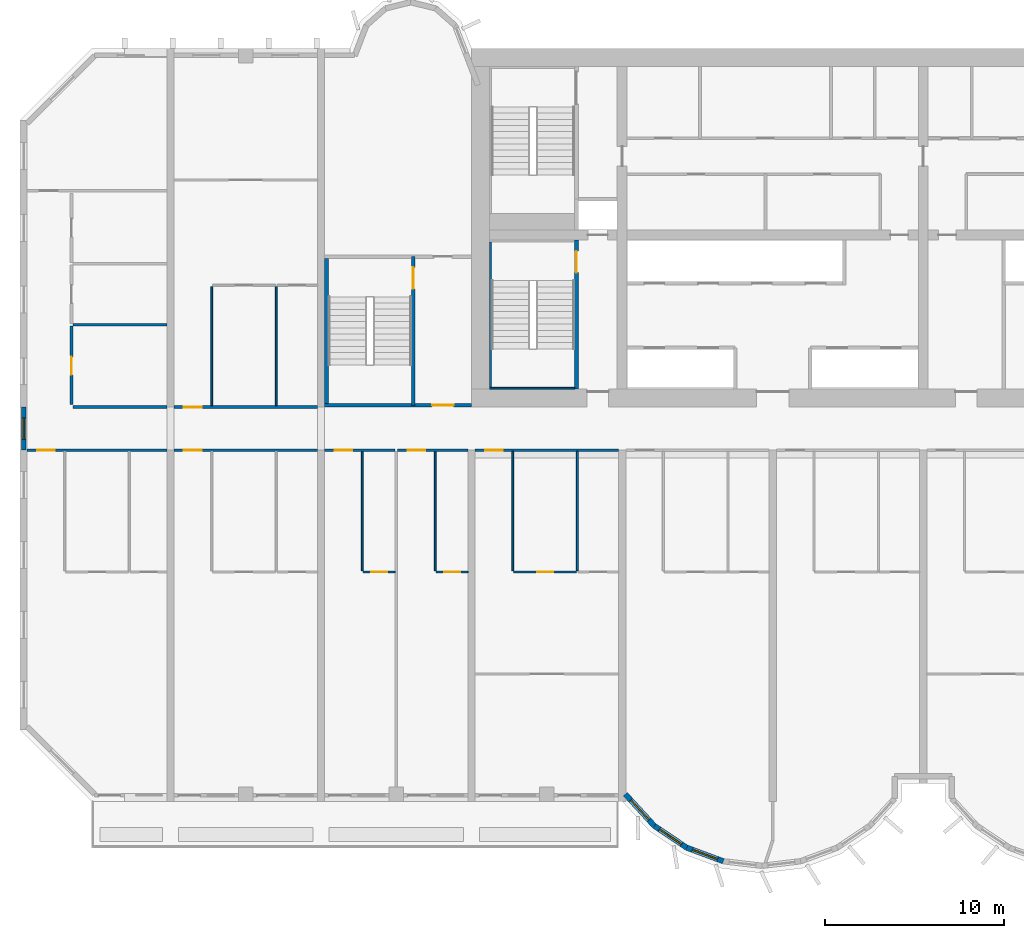
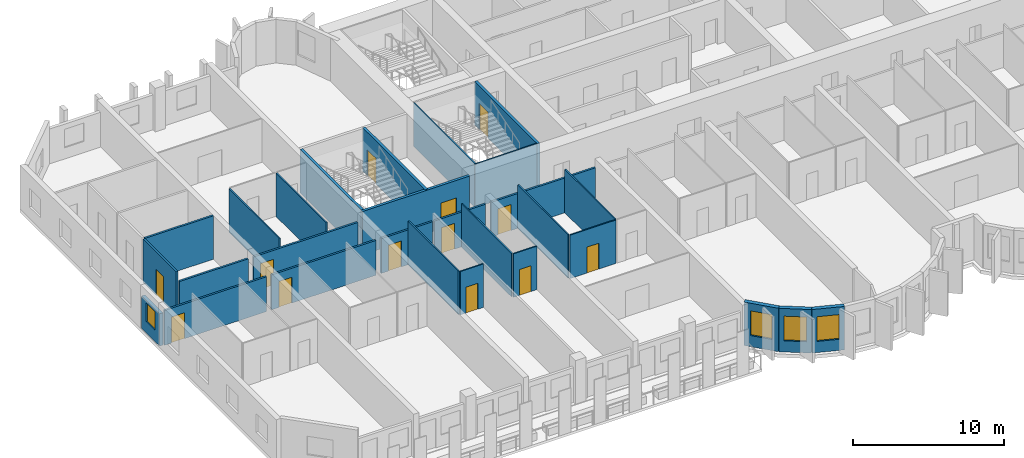
# One storey, part 3 of 15: 28 walls, 13 doors, 4 windows, 17 openings.
"""IFC4 building model written with IfcOpenShell, lengths in metres."""

import ifcopenshell
import ifcopenshell.guid

model = None  # the IFC model being written
_history = None  # IfcOwnerHistory: only IFC2X3 demands one
_inside = {}  # id of a spatial element -> (the spatial element, [elements in it])
_under = {}  # id of a project, library or spatial element -> (it, [spatial elements below it])
_declared = {}  # id of a project -> (the project, [libraries it declares])
_typed = {}  # id of a type object -> (the type object, [elements of that type])
_made_of = {}  # id of a material, layer set ... -> (it, [elements and type objects made of it])


def new_model(schema):
    """Start an empty IFC model of exactly this schema.

    Asked for "IFC4X3", IfcOpenShell would pick the latest addendum, in which some entities
    have other attributes; the version numbers below select the first issue.
    IFC2X3 requires an IfcOwnerHistory on every rooted entity: one is made here for all.
    """
    global model, _history
    if schema == "IFC4X3":
        model = ifcopenshell.file(schema_version=(4, 3, 0, 0))
    else:
        model = ifcopenshell.file(schema=schema)
    _inside.clear()
    _under.clear()
    _declared.clear()
    _typed.clear()
    _made_of.clear()
    _history = None
    if model.schema == "IFC2X3":
        org = make("IfcOrganization", Name="unknown")
        user = make(
            "IfcPersonAndOrganization",
            ThePerson=make("IfcPerson", FamilyName="unknown"),
            TheOrganization=org,
        )
        app = make(
            "IfcApplication",
            ApplicationDeveloper=org,
            Version="unknown",
            ApplicationFullName="unknown",
            ApplicationIdentifier="unknown",
        )
        _history = make(
            "IfcOwnerHistory",
            OwningUser=user,
            OwningApplication=app,
            ChangeAction="ADDED",
            CreationDate=0,
        )
    return model


def make(cls, **values):
    """One entity of the class cls with the attributes given. An attribute that is None is left unset."""
    return model.create_entity(
        cls, **{name: value for name, value in values.items() if value is not None}
    )


def rooted(cls, **values):
    """An entity with a GlobalId (a new one), such as an element, a storey or a relation."""
    return make(cls, GlobalId=ifcopenshell.guid.new(), OwnerHistory=_history, **values)


def si_unit(unit_type, name, prefix=None):
    """IfcSIUnit, for example si_unit("LENGTHUNIT", "METRE", prefix="MILLI")."""
    return make("IfcSIUnit", UnitType=unit_type, Prefix=prefix, Name=name)


def assignment(units):
    """IfcUnitAssignment: the units of a project."""
    return None if units is None else make("IfcUnitAssignment", Units=units)


def point(xyz):
    """IfcCartesianPoint."""
    return None if xyz is None else make("IfcCartesianPoint", Coordinates=xyz)


def direction(xyz):
    """IfcDirection."""
    return None if xyz is None else make("IfcDirection", DirectionRatios=xyz)


def frame(location, z_axis=None, x_axis=None):
    """IfcAxis2Placement3D, a coordinate frame: its origin and axes. An axis left out is left unset."""
    return make(
        "IfcAxis2Placement3D",
        Location=point(location),
        Axis=direction(z_axis),
        RefDirection=direction(x_axis),
    )


def frame_2d(location, x_axis=None):
    """IfcAxis2Placement2D, a coordinate frame in the plane: its origin and x axis."""
    return make(
        "IfcAxis2Placement2D", Location=point(location), RefDirection=direction(x_axis)
    )


def origin():
    """The frame at (0, 0, 0) with its axes left unset."""
    return frame((0.0, 0.0, 0.0))


def place(relative_to, where):
    """IfcLocalPlacement: puts the frame where relative to a parent placement (None: the world)."""
    return make(
        "IfcLocalPlacement", PlacementRelTo=relative_to, RelativePlacement=where
    )


def context(
    kind, dimensions, precision=None, world=None, true_north=None, identifier=None
):
    """IfcGeometricRepresentationContext, for example the 3D "Model" context."""
    return make(
        "IfcGeometricRepresentationContext",
        ContextIdentifier=identifier,
        ContextType=kind,
        CoordinateSpaceDimension=dimensions,
        Precision=precision,
        WorldCoordinateSystem=world,
        TrueNorth=true_north,
    )


def subcontext(parent, identifier, kind, view, scale=None):
    """IfcGeometricRepresentationSubContext, for example "Body" below "Model"."""
    return make(
        "IfcGeometricRepresentationSubContext",
        ContextIdentifier=identifier,
        ContextType=kind,
        ParentContext=parent,
        TargetScale=scale,
        TargetView=view,
    )


def project(units=None, contexts=None):
    """IfcProject with its units and contexts."""
    return rooted(
        "IfcProject",
        Name="project",
        RepresentationContexts=contexts,
        UnitsInContext=assignment(units),
    )


def spatial(cls, under=None, at=None, **own):
    """A site, building, storey or space (cls), placed at a placement, below another one or the project."""
    s = rooted(cls, ObjectPlacement=at, **own)
    if under is not None:
        _under.setdefault(under.id(), (under, []))[1].append(s)
    return s


def profile(cls, at=None, kind="AREA", **sizes):
    """A parametric profile (cls). Its sizes go by their IFC names, for example OverallWidth=200.0."""
    return make(cls, ProfileType=kind, Position=at, **sizes)


def rectangle(**sizes):
    """IfcRectangleProfileDef."""
    return profile("IfcRectangleProfileDef", **sizes)


def extrude(swept, where, along, depth):
    """IfcExtrudedAreaSolid: the profile swept, set in the frame where, extruded along a direction by depth."""
    return make(
        "IfcExtrudedAreaSolid",
        SweptArea=swept,
        Position=where,
        ExtrudedDirection=direction(along),
        Depth=depth,
    )


def shape(context_of_items, identifier, shape_type, items):
    """IfcShapeRepresentation: the items that make up one representation, for example the "Body"."""
    return make(
        "IfcShapeRepresentation",
        ContextOfItems=context_of_items,
        RepresentationIdentifier=identifier,
        RepresentationType=shape_type,
        Items=items,
    )


def source(mapping_origin, context_of_items, identifier, shape_type, items):
    """IfcRepresentationMap: a shape defined once, which mapped items show again and again."""
    return make(
        "IfcRepresentationMap",
        MappingOrigin=mapping_origin,
        MappedRepresentation=shape(context_of_items, identifier, shape_type, items),
    )


def transform(
    local_origin,
    x_axis=None,
    y_axis=None,
    z_axis=None,
    scale=None,
    scale2=None,
    scale3=None,
    uniform=True,
):
    """IfcCartesianTransformationOperator3D, or its non-uniform kind. x_axis, y_axis, z_axis: its Axis1, 2, 3."""
    if uniform:
        return make(
            "IfcCartesianTransformationOperator3D",
            Axis1=direction(x_axis),
            Axis2=direction(y_axis),
            LocalOrigin=point(local_origin),
            Scale=scale,
            Axis3=direction(z_axis),
        )
    return make(
        "IfcCartesianTransformationOperator3DnonUniform",
        Axis1=direction(x_axis),
        Axis2=direction(y_axis),
        LocalOrigin=point(local_origin),
        Scale=scale,
        Axis3=direction(z_axis),
        Scale2=scale2,
        Scale3=scale3,
    )


def mapped(mapping_source, mapping_target):
    """IfcMappedItem: shows the shape of a source again, moved by a transform."""
    return make(
        "IfcMappedItem", MappingSource=mapping_source, MappingTarget=mapping_target
    )


def material(Name=None, Category=None):
    """IfcMaterial."""
    return make("IfcMaterial", Name=Name, Category=Category)


def layer(
    of_material, thickness, ventilated=None, Name=None, Category=None, Priority=None
):
    """IfcMaterialLayer: one layer of a wall or slab, of a material (None: an air gap)."""
    return make(
        "IfcMaterialLayer",
        Material=of_material,
        LayerThickness=thickness,
        IsVentilated=ventilated,
        Name=Name,
        Category=Category,
        Priority=Priority,
    )


def layer_set(layers, Name=None):
    """IfcMaterialLayerSet."""
    return make("IfcMaterialLayerSet", MaterialLayers=layers, LayerSetName=Name)


def made_of(thing, what):
    """Note that an element or type object is made of a material, layer set ...; save() writes the relation."""
    if what is not None:
        _made_of.setdefault(what.id(), (what, []))[1].append(thing)
    return thing


def type_object(cls, material=None, **own):
    """A type object (cls), such as IfcWallType, which elements share."""
    return made_of(rooted(cls, **own), material)


def element(
    cls,
    number,
    at=None,
    inside=None,
    cuts=None,
    type_object=None,
    material=None,
    context=None,
    identifier="Body",
    shape_type=None,
    held_by="IfcProductDefinitionShape",
    body=None,
    shapes=None,
    **own,
):
    """One element of the class cls, such as IfcWall. Its Tag is "e" and its number.

    at: its placement. inside: the storey or other place that contains it. cuts: it is an
    opening in that element (IfcRelVoidsElement). A single representation is given by context,
    identifier, shape_type and body (its items); several are given by shapes. held_by: the class
    of the entity that holds the representations. save() writes the other relations.
    """
    e = rooted(cls, Tag="e%d" % number, ObjectPlacement=at, **own)
    if body is not None:
        shapes = [shape(context, identifier, shape_type, body)]
    if shapes is not None:
        e.Representation = make(held_by, Representations=shapes)
    if inside is not None:
        _inside.setdefault(inside.id(), (inside, []))[1].append(e)
    if cuts is not None:
        rooted(
            "IfcRelVoidsElement", RelatingBuildingElement=cuts, RelatedOpeningElement=e
        )
    if type_object is not None:
        _typed.setdefault(type_object.id(), (type_object, []))[1].append(e)
    return made_of(e, material)


def fill(opening, filler):
    """IfcRelFillsElement: the door or window that sits in an opening."""
    return rooted(
        "IfcRelFillsElement",
        RelatingOpeningElement=opening,
        RelatedBuildingElement=filler,
    )


def aggregate(whole, parts):
    """IfcRelAggregates: a whole, such as a stair, and the parts it consists of."""
    return rooted("IfcRelAggregates", RelatingObject=whole, RelatedObjects=parts)


def save(model, path):
    """Write the relations noted so far, then the file.

    IfcRelAggregates (storeys below a building ...), IfcRelContainedInSpatialStructure (elements
    in a storey), IfcRelDefinesByType, IfcRelAssociatesMaterial and IfcRelDeclares: one each for
    every whole, place, type object, material and project.
    """
    for whole, parts in _under.values():
        aggregate(whole, parts)
    for where, things in _inside.values():
        rooted(
            "IfcRelContainedInSpatialStructure",
            RelatedElements=things,
            RelatingStructure=where,
        )
    for kind, things in _typed.values():
        rooted("IfcRelDefinesByType", RelatedObjects=things, RelatingType=kind)
    for what, things in _made_of.values():
        rooted("IfcRelAssociatesMaterial", RelatedObjects=things, RelatingMaterial=what)
    for by, libraries in _declared.values():
        rooted("IfcRelDeclares", RelatingContext=by, RelatedDefinitions=libraries)
    model.write(path)


model = new_model("IFC4")

# Units and contexts
model_context = context("Model", 3, precision=1e-05, world=origin(), true_north=direction((0.0, 1.0)))
body_context = subcontext(model_context, "Body", "Model", "MODEL_VIEW")
ifc_project = project(units=[si_unit("LENGTHUNIT", "METRE"), si_unit("AREAUNIT", "SQUARE_METRE"), si_unit("VOLUMEUNIT", "CUBIC_METRE"), si_unit("PLANEANGLEUNIT", "RADIAN"), si_unit("MASSUNIT", "GRAM", prefix="KILO")], contexts=[model_context])

# Site, building, storey
site_placement = place(None, origin())
site = spatial("IfcSite", under=ifc_project, at=site_placement, CompositionType="ELEMENT")
building_placement = place(site_placement, origin())
building = spatial("IfcBuilding", under=site, at=building_placement, Name="Vanashikhar Sky Hotel", CompositionType="ELEMENT")
storey_placement = place(building_placement, frame((0.0, 0.0, 69.60009765625)))
storey = spatial("IfcBuildingStorey", under=building, at=storey_placement, Name="L16", CompositionType="ELEMENT", Elevation=69.60009765625)

# Wall, opening, window
ifc_material_1 = material(Name="Concrete M50", Category="concrete")
ifc_layer_1 = layer(ifc_material_1, 0.300048828125)
ifc_layer_set_1 = layer_set([ifc_layer_1], Name="Lobe wall 300")
wall_type_1 = type_object("IfcWallType", Name="Lobe wall 300", PredefinedType="SOLIDWALL", material=ifc_layer_set_1)
shared_shape_1 = source(origin(), body_context, "Body", "SweptSolid", [
    extrude(rectangle(XDim=2.398193359375, YDim=0.300048828125, at=frame_2d((1.19921875, 0.0))), origin(), (0.0, 0.0, 1.0), 3.52001953125),
])
wall_1_placement = place(storey_placement, frame((33.776123046875, 0.39990234375, 0.0), z_axis=(0.0, 0.0, 1.0), x_axis=(0.675374189419, -0.737475222815, 0.0)))
wall_1 = element("IfcWall", 1, at=wall_1_placement, inside=storey, type_object=wall_type_1, Name="Lobe wall", PredefinedType="SOLIDWALL", context=body_context, shape_type="MappedRepresentation", body=[
    mapped(shared_shape_1, transform((0.0, 0.0, 0.0), scale=1.0)),
])
shared_shape_2 = source(origin(), body_context, "Body", "SweptSolid", [
    extrude(rectangle(XDim=1.5, YDim=2.0, at=frame_2d((0.75, 1.0))), frame((0.0, 0.16015625, 0.0), z_axis=(0.0, -1.0, 0.0), x_axis=(1.0, 0.0, 0.0)), (0.0, 0.0, 1.0), 0.320068359375),
])
opening_1_placement = place(wall_1_placement, frame((0.44921875, 0.0, 0.89990234375)))
opening_1 = element("IfcOpeningElement", 2, at=opening_1_placement, cuts=wall_1, Name="Opening WN-2", PredefinedType="OPENING", context=body_context, shape_type="MappedRepresentation", body=[
    mapped(shared_shape_2, transform((0.0, 0.0, 0.0), scale=1.0)),
])
ifc_material_2 = material(Name="Glass", Category="glass")
window_type_1 = type_object("IfcWindowType", Name="Lobe window 1500 x 2000", PartitioningType="SINGLE_PANEL", PredefinedType="WINDOW", material=ifc_material_2)
shared_shape_3 = source(origin(), body_context, "Body", "SweptSolid", [
    extrude(rectangle(XDim=1.5, YDim=2.0, at=frame_2d((0.75, 1.0))), frame((0.0, 0.030029296875, 0.0), z_axis=(0.0, -1.0, 0.0), x_axis=(1.0, 0.0, 0.0)), (0.0, 0.0, 1.0), 0.06005859375),
])
window_1_placement = place(opening_1_placement, origin())
window_1 = element("IfcWindow", 3, at=window_1_placement, inside=storey, type_object=window_type_1, Name="Window WN-2", OverallHeight=2.0, OverallWidth=1.5, PartitioningType="SINGLE_PANEL", PredefinedType="WINDOW", context=body_context, shape_type="MappedRepresentation", body=[
    mapped(shared_shape_3, transform((0.0, 0.0, 0.0), scale=1.0)),
])
fill(opening_1, window_1)

shared_shape_4 = source(origin(), body_context, "Body", "SweptSolid", [
    extrude(rectangle(XDim=2.17578125, YDim=0.300048828125, at=frame_2d((1.087890625, 0.0))), origin(), (0.0, 0.0, 1.0), 3.52001953125),
])
wall_2_placement = place(storey_placement, frame((35.395751953125, -1.36865234375, 0.0), z_axis=(0.0, 0.0, 1.0), x_axis=(0.829590746428, -0.558371913192, 0.0)))
wall_2 = element("IfcWall", 4, at=wall_2_placement, inside=storey, type_object=wall_type_1, Name="Lobe wall", PredefinedType="SOLIDWALL", context=body_context, shape_type="MappedRepresentation", body=[
    mapped(shared_shape_4, transform((0.0, 0.0, 0.0), scale=1.0)),
])
opening_2_placement = place(wall_2_placement, frame((0.337890625, 0.0, 0.89990234375)))
opening_2 = element("IfcOpeningElement", 5, at=opening_2_placement, cuts=wall_2, Name="Opening WN-2", PredefinedType="OPENING", context=body_context, shape_type="MappedRepresentation", body=[
    mapped(shared_shape_2, transform((0.0, 0.0, 0.0), scale=1.0)),
])
window_2_placement = place(opening_2_placement, origin())
window_2 = element("IfcWindow", 6, at=window_2_placement, inside=storey, type_object=window_type_1, Name="Window WN-2", OverallHeight=2.0, OverallWidth=1.5, PartitioningType="SINGLE_PANEL", PredefinedType="WINDOW", context=body_context, shape_type="MappedRepresentation", body=[
    mapped(shared_shape_3, transform((0.0, 0.0, 0.0), scale=1.0)),
])
fill(opening_2, window_2)

wall_3_placement = place(storey_placement, frame((37.20068359375, -2.58349609375, 0.0), z_axis=(0.0, 0.0, 1.0), x_axis=(0.93754555999, -0.347862505801, 0.0)))
wall_3 = element("IfcWall", 7, at=wall_3_placement, inside=storey, type_object=wall_type_1, Name="Lobe wall", PredefinedType="SOLIDWALL", context=body_context, shape_type="MappedRepresentation", body=[
    mapped(shared_shape_4, transform((0.0, 0.0, 0.0), scale=1.0)),
])
opening_3_placement = place(wall_3_placement, frame((0.337890625, 0.0, 0.89990234375)))
opening_3 = element("IfcOpeningElement", 8, at=opening_3_placement, cuts=wall_3, Name="Opening WN-2", PredefinedType="OPENING", context=body_context, shape_type="MappedRepresentation", body=[
    mapped(shared_shape_2, transform((0.0, 0.0, 0.0), scale=1.0)),
])
window_3_placement = place(opening_3_placement, origin())
window_3 = element("IfcWindow", 9, at=window_3_placement, inside=storey, type_object=window_type_1, Name="Window WN-2", OverallHeight=2.0, OverallWidth=1.5, PartitioningType="SINGLE_PANEL", PredefinedType="WINDOW", context=body_context, shape_type="MappedRepresentation", body=[
    mapped(shared_shape_3, transform((0.0, 0.0, 0.0), scale=1.0)),
])
fill(opening_3, window_3)

ifc_layer_2 = layer(ifc_material_1, 0.25)
ifc_layer_set_2 = layer_set([ifc_layer_2], Name="Rear and end board-marked wall 250")
wall_type_2 = type_object("IfcWallType", Name="Rear and end board-marked wall 250", PredefinedType="SOLIDWALL", material=ifc_layer_set_2)
shared_shape_5 = source(origin(), body_context, "Body", "SweptSolid", [
    extrude(rectangle(XDim=2.39990234375, YDim=0.25, at=frame_2d((1.199951171875, 0.0))), origin(), (0.0, 0.0, 1.0), 2.619873046875),
])
wall_4_placement = place(storey_placement, frame((0.199951171875, 19.60009765625, 0.0), z_axis=(0.0, 0.0, 1.0), x_axis=(0.0, 1.0, 0.0)))
wall_4 = element("IfcWall", 10, at=wall_4_placement, inside=storey, type_object=wall_type_2, Name="End corridor infill wall", PredefinedType="SOLIDWALL", context=body_context, shape_type="MappedRepresentation", body=[
    mapped(shared_shape_5, transform((0.0, 0.0, 0.0), scale=1.0)),
])
shared_shape_6 = source(origin(), body_context, "Body", "SweptSolid", [
    extrude(rectangle(XDim=1.199951171875, YDim=1.5, at=frame_2d((0.60009765625, 0.75))), frame((0.0, 0.135009765625, 0.0), z_axis=(0.0, -1.0, 0.0), x_axis=(1.0, 0.0, 0.0)), (0.0, 0.0, 1.0), 0.27001953125),
])
opening_4_placement = place(wall_4_placement, frame((0.60009765625, 0.0, 0.89990234375)))
opening_4 = element("IfcOpeningElement", 11, at=opening_4_placement, cuts=wall_4, Name="Opening WN-3", PredefinedType="OPENING", context=body_context, shape_type="MappedRepresentation", body=[
    mapped(shared_shape_6, transform((0.0, 0.0, 0.0), scale=1.0)),
])
window_type_2 = type_object("IfcWindowType", Name="Corridor end window 1200 x 1500", PartitioningType="SINGLE_PANEL", PredefinedType="WINDOW", material=ifc_material_2)
shared_shape_7 = source(origin(), body_context, "Body", "SweptSolid", [
    extrude(rectangle(XDim=1.199951171875, YDim=1.5, at=frame_2d((0.60009765625, 0.75))), frame((0.0, 0.030029296875, 0.0), z_axis=(0.0, -1.0, 0.0), x_axis=(1.0, 0.0, 0.0)), (0.0, 0.0, 1.0), 0.06005859375),
])
window_4_placement = place(opening_4_placement, origin())
window_4 = element("IfcWindow", 12, at=window_4_placement, inside=storey, type_object=window_type_2, Name="Window WN-3", OverallHeight=1.5, OverallWidth=1.199951171875, PartitioningType="SINGLE_PANEL", PredefinedType="WINDOW", context=body_context, shape_type="MappedRepresentation", body=[
    mapped(shared_shape_7, transform((0.0, 0.0, 0.0), scale=1.0)),
])
fill(opening_4, window_4)

# Wall, opening, door
ifc_layer_3 = layer(ifc_material_1, 0.199951171875)
ifc_layer_set_3 = layer_set([ifc_layer_3], Name="Stair wall 200")
wall_type_3 = type_object("IfcWallType", Name="Stair wall 200", PredefinedType="SOLIDWALL", material=ifc_layer_set_3)
shared_shape_8 = source(origin(), body_context, "Body", "SweptSolid", [
    extrude(rectangle(XDim=8.199951171875, YDim=0.199951171875, at=frame_2d((4.10009765625, 0.0))), origin(), (0.0, 0.0, 1.0), 3.52001953125),
])
wall_5_placement = place(storey_placement, frame((17.0, 22.10009765625, 0.0), z_axis=(0.0, 0.0, 1.0), x_axis=(1.0, 0.0, 0.0)))
wall_5 = element("IfcWall", 13, at=wall_5_placement, inside=storey, type_object=wall_type_3, Name="Stair wall 200", PredefinedType="SOLIDWALL", context=body_context, shape_type="MappedRepresentation", body=[
    mapped(shared_shape_8, transform((0.0, 0.0, 0.0), scale=1.0)),
])
shared_shape_9 = source(origin(), body_context, "Body", "SweptSolid", [
    extrude(rectangle(XDim=1.199951171875, YDim=2.10009765625, at=frame_2d((0.60009765625, 1.050048828125))), frame((0.0, 0.10986328125, 0.0), z_axis=(0.0, -1.0, 0.0), x_axis=(1.0, 0.0, 0.0)), (0.0, 0.0, 1.0), 0.219970703125),
])
opening_5_placement = place(wall_5_placement, frame((6.0, 0.0, 0.0)))
opening_5 = element("IfcOpeningElement", 14, at=opening_5_placement, cuts=wall_5, Name="Opening DC-2", PredefinedType="OPENING", context=body_context, shape_type="MappedRepresentation", body=[
    mapped(shared_shape_9, transform((0.0, 0.0, 0.0), scale=1.0)),
])
ifc_material_3 = material(Name="Steel", Category="steel")
door_type_1 = type_object("IfcDoorType", Name="Firefighting lobby door 1200 FD120", OperationType="NOTDEFINED", PredefinedType="DOOR", material=ifc_material_3)
shared_shape_10 = source(origin(), body_context, "Body", "SweptSolid", [
    extrude(rectangle(XDim=1.199951171875, YDim=2.10009765625, at=frame_2d((0.60009765625, 1.050048828125))), frame((0.0, 0.02490234375, 0.0), z_axis=(0.0, -1.0, 0.0), x_axis=(1.0, 0.0, 0.0)), (0.0, 0.0, 1.0), 0.050048828125),
])
door_1_placement = place(opening_5_placement, origin())
door_1 = element("IfcDoor", 15, at=door_1_placement, inside=storey, type_object=door_type_1, Name="Firefighting lobby door 1200 FD120", OperationType="SINGLE_SWING_LEFT", OverallHeight=2.10009765625, OverallWidth=1.199951171875, PredefinedType="DOOR", context=body_context, shape_type="MappedRepresentation", body=[
    mapped(shared_shape_10, transform((0.0, 0.0, 0.0), scale=1.0)),
])
fill(opening_5, door_1)

shared_shape_11 = source(origin(), body_context, "Body", "SweptSolid", [
    extrude(rectangle(XDim=8.2998046875, YDim=0.199951171875, at=frame_2d((4.14990234375, 0.0))), origin(), (0.0, 0.0, 1.0), 3.52001953125),
])
wall_6_placement = place(storey_placement, frame((21.949951171875, 22.10009765625, 0.0), z_axis=(0.0, 0.0, 1.0), x_axis=(0.0, 1.0, 0.0)))
wall_6 = element("IfcWall", 16, at=wall_6_placement, inside=storey, type_object=wall_type_3, Name="Stair wall 200", PredefinedType="SOLIDWALL", context=body_context, shape_type="MappedRepresentation", body=[
    mapped(shared_shape_11, transform((0.0, 0.0, 0.0), scale=1.0)),
])
opening_6_placement = place(wall_6_placement, frame((6.5, 0.0, 0.0)))
opening_6 = element("IfcOpeningElement", 17, at=opening_6_placement, cuts=wall_6, Name="Opening DC-1", PredefinedType="OPENING", context=body_context, shape_type="MappedRepresentation", body=[
    mapped(shared_shape_9, transform((0.0, 0.0, 0.0), scale=1.0)),
])
door_type_2 = type_object("IfcDoorType", Name="Stair door 1200 FD120", OperationType="NOTDEFINED", PredefinedType="DOOR", material=ifc_material_3)
door_2_placement = place(opening_6_placement, origin())
door_2 = element("IfcDoor", 18, at=door_2_placement, inside=storey, type_object=door_type_2, Name="Stair door 1200 FD120", OperationType="SINGLE_SWING_LEFT", OverallHeight=2.10009765625, OverallWidth=1.199951171875, PredefinedType="DOOR", context=body_context, shape_type="MappedRepresentation", body=[
    mapped(shared_shape_10, transform((0.0, 0.0, 0.0), scale=1.0)),
])
fill(opening_6, door_2)

# Walls
ifc_layer_4 = layer(ifc_material_1, 0.10009765625)
ifc_layer_set_4 = layer_set([ifc_layer_4], Name="Stair infill wall 100")
wall_type_4 = type_object("IfcWallType", Name="Stair infill wall 100", PredefinedType="SOLIDWALL", material=ifc_layer_set_4)
shared_shape_12 = source(origin(), body_context, "Body", "SweptSolid", [
    extrude(rectangle(XDim=4.75, YDim=0.10009765625, at=frame_2d((2.375, 0.0))), origin(), (0.0, 0.0, 1.0), 3.52001953125),
])
wall_7_placement = place(storey_placement, frame((26.199951171875, 23.050048828125, 0.0), z_axis=(0.0, 0.0, 1.0), x_axis=(1.0, 0.0, 0.0)))
element("IfcWall", 19, at=wall_7_placement, inside=storey, type_object=wall_type_4, Name="Stair infill wall 100", PredefinedType="SOLIDWALL", context=body_context, shape_type="MappedRepresentation", body=[
    mapped(shared_shape_12, transform((0.0, 0.0, 0.0), scale=1.0)),
])
shared_shape_13 = source(origin(), body_context, "Body", "SweptSolid", [
    extrude(rectangle(XDim=8.099853515625, YDim=0.10009765625, at=frame_2d((4.0498046875, 0.0))), origin(), (0.0, 0.0, 1.0), 3.52001953125),
])
wall_8_placement = place(storey_placement, frame((26.25, 23.10009765625, 0.0), z_axis=(0.0, 0.0, 1.0), x_axis=(0.0, 1.0, 0.0)))
element("IfcWall", 20, at=wall_8_placement, inside=storey, type_object=wall_type_4, Name="Stair infill wall 100", PredefinedType="SOLIDWALL", context=body_context, shape_type="MappedRepresentation", body=[
    mapped(shared_shape_13, transform((0.0, 0.0, 0.0), scale=1.0)),
])

# Wall, opening, door
shared_shape_14 = source(origin(), body_context, "Body", "SweptSolid", [
    extrude(rectangle(XDim=8.324951171875, YDim=0.199951171875, at=frame_2d((4.16259765625, 0.0))), origin(), (0.0, 0.0, 1.0), 3.52001953125),
])
wall_9_placement = place(storey_placement, frame((31.050048828125, 23.0, 0.0), z_axis=(0.0, 0.0, 1.0), x_axis=(0.0, 1.0, 0.0)))
wall_9 = element("IfcWall", 21, at=wall_9_placement, inside=storey, type_object=wall_type_3, Name="Stair wall 200", PredefinedType="SOLIDWALL", context=body_context, shape_type="MappedRepresentation", body=[
    mapped(shared_shape_14, transform((0.0, 0.0, 0.0), scale=1.0)),
])
opening_7_placement = place(wall_9_placement, frame((6.5, 0.0, 0.0)))
opening_7 = element("IfcOpeningElement", 22, at=opening_7_placement, cuts=wall_9, Name="Opening DC-1", PredefinedType="OPENING", context=body_context, shape_type="MappedRepresentation", body=[
    mapped(shared_shape_9, transform((0.0, 0.0, 0.0), scale=1.0)),
])
door_3_placement = place(opening_7_placement, origin())
door_3 = element("IfcDoor", 23, at=door_3_placement, inside=storey, type_object=door_type_2, Name="Stair door 1200 FD120", OperationType="SINGLE_SWING_LEFT", OverallHeight=2.10009765625, OverallWidth=1.199951171875, PredefinedType="DOOR", context=body_context, shape_type="MappedRepresentation", body=[
    mapped(shared_shape_10, transform((0.0, 0.0, 0.0), scale=1.0)),
])
fill(opening_7, door_3)

# Wall
ifc_layer_5 = layer(ifc_material_1, 0.199951171875)
ifc_layer_set_5 = layer_set([ifc_layer_5], Name="Stair infill wall 200")
wall_type_5 = type_object("IfcWallType", Name="Stair infill wall 200", PredefinedType="SOLIDWALL", material=ifc_layer_set_5)
shared_shape_15 = source(origin(), body_context, "Body", "SweptSolid", [
    extrude(rectangle(XDim=8.10009765625, YDim=0.199951171875, at=frame_2d((4.050048828125, 0.0))), origin(), (0.0, 0.0, 1.0), 3.52001953125),
])
wall_10_placement = place(storey_placement, frame((17.10009765625, 22.199951171875, 0.0), z_axis=(0.0, 0.0, 1.0), x_axis=(0.0, 1.0, 0.0)))
element("IfcWall", 24, at=wall_10_placement, inside=storey, type_object=wall_type_5, Name="Stair infill wall 200", PredefinedType="SOLIDWALL", context=body_context, shape_type="MappedRepresentation", body=[
    mapped(shared_shape_15, transform((0.0, 0.0, 0.0), scale=1.0)),
])

# Wall, opening, door
ifc_material_4 = material(Name="Gypsum plasterboard partition")
ifc_layer_6 = layer(ifc_material_4, 0.14990234375)
ifc_layer_set_6 = layer_set([ifc_layer_6], Name="Corridor and demising partition 150")
wall_type_6 = type_object("IfcWallType", Name="Corridor and demising partition 150", PredefinedType="PARTITIONING", material=ifc_layer_set_6)
shared_shape_16 = source(origin(), body_context, "Body", "SweptSolid", [
    extrude(rectangle(XDim=4.375, YDim=0.14990234375, at=frame_2d((2.1875, 0.0))), origin(), (0.0, 0.0, 1.0), 3.52001953125),
])
wall_11_placement = place(storey_placement, frame((2.875, 22.14990234375, 0.0), z_axis=(0.0, 0.0, 1.0), x_axis=(0.0, 1.0, 0.0)))
wall_11 = element("IfcWall", 25, at=wall_11_placement, inside=storey, type_object=wall_type_6, Name="W-L16-PW071", PredefinedType="PARTITIONING", context=body_context, shape_type="MappedRepresentation", body=[
    mapped(shared_shape_16, transform((0.0, 0.0, 0.0), scale=1.0)),
])
shared_shape_17 = source(origin(), body_context, "Body", "SweptSolid", [
    extrude(rectangle(XDim=1.0, YDim=2.10009765625, at=frame_2d((0.5, 1.050048828125))), frame((0.0, 0.0849609375, 0.0), z_axis=(0.0, -1.0, 0.0), x_axis=(1.0, 0.0, 0.0)), (0.0, 0.0, 1.0), 0.169921875),
])
opening_8_placement = place(wall_11_placement, frame((1.64990234375, 0.0, 0.0)))
opening_8 = element("IfcOpeningElement", 26, at=opening_8_placement, cuts=wall_11, Name="Opening D-01", PredefinedType="OPENING", context=body_context, shape_type="MappedRepresentation", body=[
    mapped(shared_shape_17, transform((0.0, 0.0, 0.0), scale=1.0)),
])
ifc_material_5 = material(Name="Timber fire door", Category="wood")
door_type_3 = type_object("IfcDoorType", Name="Guest entry door 1000 FD30S", OperationType="NOTDEFINED", PredefinedType="DOOR", material=ifc_material_5)
shared_shape_18 = source(origin(), body_context, "Body", "SweptSolid", [
    extrude(rectangle(XDim=1.0, YDim=2.10009765625, at=frame_2d((0.5, 1.050048828125))), frame((0.0, 0.02490234375, 0.0), z_axis=(0.0, -1.0, 0.0), x_axis=(1.0, 0.0, 0.0)), (0.0, 0.0, 1.0), 0.050048828125),
])
door_4_placement = place(opening_8_placement, origin())
door_4 = element("IfcDoor", 27, at=door_4_placement, inside=storey, type_object=door_type_3, Name="D-L16-043", OperationType="SINGLE_SWING_LEFT", OverallHeight=2.10009765625, OverallWidth=1.0, PredefinedType="DOOR", context=body_context, shape_type="MappedRepresentation", body=[
    mapped(shared_shape_18, transform((0.0, 0.0, 0.0), scale=1.0)),
])
fill(opening_8, door_4)

ifc_layer_7 = layer(ifc_material_4, 0.10009765625)
ifc_layer_set_7 = layer_set([ifc_layer_7], Name="Wet room partition 100")
wall_type_7 = type_object("IfcWallType", Name="Wet room partition 100", PredefinedType="PARTITIONING", material=ifc_layer_set_7)
shared_shape_19 = source(origin(), body_context, "Body", "SweptSolid", [
    extrude(rectangle(XDim=3.5, YDim=0.10009765625, at=frame_2d((1.75, 0.0))), origin(), (0.0, 0.0, 1.0), 3.52001953125),
])
wall_12_placement = place(storey_placement, frame((27.550048828125, 12.800048828125, 0.0), z_axis=(0.0, 0.0, 1.0), x_axis=(1.0, 0.0, 0.0)))
wall_12 = element("IfcWall", 28, at=wall_12_placement, inside=storey, type_object=wall_type_7, Name="W-L16-PW020", PredefinedType="PARTITIONING", context=body_context, shape_type="MappedRepresentation", body=[
    mapped(shared_shape_19, transform((0.0, 0.0, 0.0), scale=1.0)),
])
shared_shape_20 = source(origin(), body_context, "Body", "SweptSolid", [
    extrude(rectangle(XDim=0.89990234375, YDim=2.10009765625, at=frame_2d((0.449951171875, 1.050048828125))), frame((0.0, 0.06005859375, 0.0), z_axis=(0.0, -1.0, 0.0), x_axis=(1.0, 0.0, 0.0)), (0.0, 0.0, 1.0), 0.1201171875),
])
opening_9_placement = place(wall_12_placement, frame((1.300048828125, 0.0, 0.0)))
opening_9 = element("IfcOpeningElement", 29, at=opening_9_placement, cuts=wall_12, Name="Opening D-02", PredefinedType="OPENING", context=body_context, shape_type="MappedRepresentation", body=[
    mapped(shared_shape_20, transform((0.0, 0.0, 0.0), scale=1.0)),
])
ifc_material_6 = material(Name="Timber door", Category="wood")
door_type_4 = type_object("IfcDoorType", Name="Internal door 900", OperationType="NOTDEFINED", PredefinedType="DOOR", material=ifc_material_6)
shared_shape_21 = source(origin(), body_context, "Body", "SweptSolid", [
    extrude(rectangle(XDim=0.89990234375, YDim=2.10009765625, at=frame_2d((0.449951171875, 1.050048828125))), frame((0.0, 0.02490234375, 0.0), z_axis=(0.0, -1.0, 0.0), x_axis=(1.0, 0.0, 0.0)), (0.0, 0.0, 1.0), 0.050048828125),
])
door_5_placement = place(opening_9_placement, origin())
door_5 = element("IfcDoor", 30, at=door_5_placement, inside=storey, type_object=door_type_4, Name="D-L16-011", OperationType="SINGLE_SWING_LEFT", OverallHeight=2.10009765625, OverallWidth=0.89990234375, PredefinedType="DOOR", context=body_context, shape_type="MappedRepresentation", body=[
    mapped(shared_shape_21, transform((0.0, 0.0, 0.0), scale=1.0)),
])
fill(opening_9, door_5)

# Wall
shared_shape_22 = source(origin(), body_context, "Body", "SweptSolid", [
    extrude(rectangle(XDim=5.25, YDim=0.14990234375, at=frame_2d((2.625, 0.0))), origin(), (0.0, 0.0, 1.0), 3.52001953125),
])
wall_13_placement = place(storey_placement, frame((2.949951171875, 26.60009765625, 0.0), z_axis=(0.0, 0.0, 1.0), x_axis=(1.0, 0.0, 0.0)))
element("IfcWall", 31, at=wall_13_placement, inside=storey, type_object=wall_type_6, Name="W-L16-PW072", PredefinedType="PARTITIONING", context=body_context, shape_type="MappedRepresentation", body=[
    mapped(shared_shape_22, transform((0.0, 0.0, 0.0), scale=1.0)),
])

# Wall, opening, door
shared_shape_23 = source(origin(), body_context, "Body", "SweptSolid", [
    extrude(rectangle(XDim=3.925048828125, YDim=0.14990234375, at=frame_2d((1.96240234375, 0.0))), origin(), (0.0, 0.0, 1.0), 2.81982421875),
])
wall_14_placement = place(storey_placement, frame((17.0, 19.60009765625, 0.0), z_axis=(0.0, 0.0, 1.0), x_axis=(1.0, 0.0, 0.0)))
wall_14 = element("IfcWall", 32, at=wall_14_placement, inside=storey, type_object=wall_type_6, Name="W-L16-PW013", PredefinedType="PARTITIONING", context=body_context, shape_type="MappedRepresentation", body=[
    mapped(shared_shape_23, transform((0.0, 0.0, 0.0), scale=1.0)),
])
opening_10_placement = place(wall_14_placement, frame((0.550048828125, 0.0, 0.0)))
opening_10 = element("IfcOpeningElement", 33, at=opening_10_placement, cuts=wall_14, Name="Opening D-01", PredefinedType="OPENING", context=body_context, shape_type="MappedRepresentation", body=[
    mapped(shared_shape_17, transform((0.0, 0.0, 0.0), scale=1.0)),
])
door_6_placement = place(opening_10_placement, origin())
door_6 = element("IfcDoor", 34, at=door_6_placement, inside=storey, type_object=door_type_3, Name="D-L16-008", OperationType="SINGLE_SWING_LEFT", OverallHeight=2.10009765625, OverallWidth=1.0, PredefinedType="DOOR", context=body_context, shape_type="MappedRepresentation", body=[
    mapped(shared_shape_18, transform((0.0, 0.0, 0.0), scale=1.0)),
])
fill(opening_10, door_6)

wall_15_placement = place(storey_placement, frame((21.074951171875, 19.60009765625, 0.0), z_axis=(0.0, 0.0, 1.0), x_axis=(1.0, 0.0, 0.0)))
wall_15 = element("IfcWall", 35, at=wall_15_placement, inside=storey, type_object=wall_type_6, Name="W-L16-PW016", PredefinedType="PARTITIONING", context=body_context, shape_type="MappedRepresentation", body=[
    mapped(shared_shape_23, transform((0.0, 0.0, 0.0), scale=1.0)),
])
opening_11_placement = place(wall_15_placement, frame((0.550048828125, 0.0, 0.0)))
opening_11 = element("IfcOpeningElement", 36, at=opening_11_placement, cuts=wall_15, Name="Opening D-01", PredefinedType="OPENING", context=body_context, shape_type="MappedRepresentation", body=[
    mapped(shared_shape_17, transform((0.0, 0.0, 0.0), scale=1.0)),
])
door_7_placement = place(opening_11_placement, origin())
door_7 = element("IfcDoor", 37, at=door_7_placement, inside=storey, type_object=door_type_3, Name="D-L16-010", OperationType="SINGLE_SWING_LEFT", OverallHeight=2.10009765625, OverallWidth=1.0, PredefinedType="DOOR", context=body_context, shape_type="MappedRepresentation", body=[
    mapped(shared_shape_18, transform((0.0, 0.0, 0.0), scale=1.0)),
])
fill(opening_11, door_7)

shared_shape_24 = source(origin(), body_context, "Body", "SweptSolid", [
    extrude(rectangle(XDim=8.0, YDim=0.14990234375, at=frame_2d((4.0, 0.0))), origin(), (0.0, 0.0, 1.0), 2.81982421875),
])
wall_16_placement = place(storey_placement, frame((8.60009765625, 19.60009765625, 0.0), z_axis=(0.0, 0.0, 1.0), x_axis=(1.0, 0.0, 0.0)))
wall_16 = element("IfcWall", 38, at=wall_16_placement, inside=storey, type_object=wall_type_6, Name="W-L16-PW010", PredefinedType="PARTITIONING", context=body_context, shape_type="MappedRepresentation", body=[
    mapped(shared_shape_24, transform((0.0, 0.0, 0.0), scale=1.0)),
])
opening_12_placement = place(wall_16_placement, frame((0.550048828125, 0.0, 0.0)))
opening_12 = element("IfcOpeningElement", 39, at=opening_12_placement, cuts=wall_16, Name="Opening D-01", PredefinedType="OPENING", context=body_context, shape_type="MappedRepresentation", body=[
    mapped(shared_shape_17, transform((0.0, 0.0, 0.0), scale=1.0)),
])
door_8_placement = place(opening_12_placement, origin())
door_8 = element("IfcDoor", 40, at=door_8_placement, inside=storey, type_object=door_type_3, Name="D-L16-006", OperationType="SINGLE_SWING_LEFT", OverallHeight=2.10009765625, OverallWidth=1.0, PredefinedType="DOOR", context=body_context, shape_type="MappedRepresentation", body=[
    mapped(shared_shape_18, transform((0.0, 0.0, 0.0), scale=1.0)),
])
fill(opening_12, door_8)

wall_17_placement = place(storey_placement, frame((25.39990234375, 19.60009765625, 0.0), z_axis=(0.0, 0.0, 1.0), x_axis=(1.0, 0.0, 0.0)))
wall_17 = element("IfcWall", 41, at=wall_17_placement, inside=storey, type_object=wall_type_6, Name="W-L16-PW023", PredefinedType="PARTITIONING", context=body_context, shape_type="MappedRepresentation", body=[
    mapped(shared_shape_24, transform((0.0, 0.0, 0.0), scale=1.0)),
])
opening_13_placement = place(wall_17_placement, frame((0.550048828125, 0.0, 0.0)))
opening_13 = element("IfcOpeningElement", 42, at=opening_13_placement, cuts=wall_17, Name="Opening D-01", PredefinedType="OPENING", context=body_context, shape_type="MappedRepresentation", body=[
    mapped(shared_shape_17, transform((0.0, 0.0, 0.0), scale=1.0)),
])
door_9_placement = place(opening_13_placement, origin())
door_9 = element("IfcDoor", 43, at=door_9_placement, inside=storey, type_object=door_type_3, Name="D-L16-014", OperationType="SINGLE_SWING_LEFT", OverallHeight=2.10009765625, OverallWidth=1.0, PredefinedType="DOOR", context=body_context, shape_type="MappedRepresentation", body=[
    mapped(shared_shape_18, transform((0.0, 0.0, 0.0), scale=1.0)),
])
fill(opening_13, door_9)

wall_18_placement = place(storey_placement, frame((8.60009765625, 22.0, 0.0), z_axis=(0.0, 0.0, 1.0), x_axis=(1.0, 0.0, 0.0)))
wall_18 = element("IfcWall", 44, at=wall_18_placement, inside=storey, type_object=wall_type_6, Name="W-L16-PW082", PredefinedType="PARTITIONING", context=body_context, shape_type="MappedRepresentation", body=[
    mapped(shared_shape_24, transform((0.0, 0.0, 0.0), scale=1.0)),
])
opening_14_placement = place(wall_18_placement, frame((0.550048828125, 0.0, 0.0)))
opening_14 = element("IfcOpeningElement", 45, at=opening_14_placement, cuts=wall_18, Name="Opening D-01", PredefinedType="OPENING", context=body_context, shape_type="MappedRepresentation", body=[
    mapped(shared_shape_17, transform((0.0, 0.0, 0.0), scale=1.0)),
])
door_10_placement = place(opening_14_placement, origin())
door_10 = element("IfcDoor", 46, at=door_10_placement, inside=storey, type_object=door_type_3, Name="D-L16-050", OperationType="SINGLE_SWING_LEFT", OverallHeight=2.10009765625, OverallWidth=1.0, PredefinedType="DOOR", context=body_context, shape_type="MappedRepresentation", body=[
    mapped(shared_shape_18, transform((0.0, 0.0, 0.0), scale=1.0)),
])
fill(opening_14, door_10)

# Walls
shared_shape_25 = source(origin(), body_context, "Body", "SweptSolid", [
    extrude(rectangle(XDim=5.25, YDim=0.14990234375, at=frame_2d((2.625, 0.0))), origin(), (0.0, 0.0, 1.0), 2.81982421875),
])
wall_19_placement = place(storey_placement, frame((2.949951171875, 22.0, 0.0), z_axis=(0.0, 0.0, 1.0), x_axis=(1.0, 0.0, 0.0)))
element("IfcWall", 47, at=wall_19_placement, inside=storey, type_object=wall_type_6, Name="W-L16-PW070", PredefinedType="PARTITIONING", context=body_context, shape_type="MappedRepresentation", body=[
    mapped(shared_shape_25, transform((0.0, 0.0, 0.0), scale=1.0)),
])
shared_shape_26 = source(origin(), body_context, "Body", "SweptSolid", [
    extrude(rectangle(XDim=6.64990234375, YDim=0.10009765625, at=frame_2d((3.324951171875, 0.0))), origin(), (0.0, 0.0, 1.0), 3.52001953125),
])
for number, where, z_axis, x_axis, name in (
    (48, (19.10009765625, 12.875, 0.0), (0.0, 0.0, 1.0), (0.0, 1.0, 0.0), "W-L16-PW011"),
    (49, (23.175048828125, 12.875, 0.0), (0.0, 0.0, 1.0), (0.0, 1.0, 0.0), "W-L16-PW014"),
    (50, (27.5, 12.875, 0.0), (0.0, 0.0, 1.0), (0.0, 1.0, 0.0), "W-L16-PW018"),
    (51, (31.10009765625, 12.875, 0.0), (0.0, 0.0, 1.0), (0.0, 1.0, 0.0), "W-L16-PW019"),
):
    element("IfcWall", number, at=place(storey_placement, frame(where, z_axis=z_axis, x_axis=x_axis)), inside=storey, type_object=wall_type_7, Name=name, PredefinedType="PARTITIONING", context=body_context, shape_type="MappedRepresentation", body=[
        mapped(shared_shape_26, transform((0.0, 0.0, 0.0), scale=1.0)),
    ])

# Wall, opening, door
shared_shape_27 = source(origin(), body_context, "Body", "SweptSolid", [
    extrude(rectangle(XDim=1.775146484375, YDim=0.10009765625, at=frame_2d((0.8876953125, 0.0))), origin(), (0.0, 0.0, 1.0), 3.52001953125),
])
wall_20_placement = place(storey_placement, frame((19.14990234375, 12.800048828125, 0.0), z_axis=(0.0, 0.0, 1.0), x_axis=(1.0, 0.0, 0.0)))
wall_20 = element("IfcWall", 52, at=wall_20_placement, inside=storey, type_object=wall_type_7, Name="W-L16-PW012", PredefinedType="PARTITIONING", context=body_context, shape_type="MappedRepresentation", body=[
    mapped(shared_shape_27, transform((0.0, 0.0, 0.0), scale=1.0)),
])
opening_15_placement = place(wall_20_placement, frame((0.43798828125, 0.0, 0.0)))
opening_15 = element("IfcOpeningElement", 53, at=opening_15_placement, cuts=wall_20, Name="Opening D-02", PredefinedType="OPENING", context=body_context, shape_type="MappedRepresentation", body=[
    mapped(shared_shape_20, transform((0.0, 0.0, 0.0), scale=1.0)),
])
door_11_placement = place(opening_15_placement, origin())
door_11 = element("IfcDoor", 54, at=door_11_placement, inside=storey, type_object=door_type_4, Name="D-L16-007", OperationType="SINGLE_SWING_LEFT", OverallHeight=2.10009765625, OverallWidth=0.89990234375, PredefinedType="DOOR", context=body_context, shape_type="MappedRepresentation", body=[
    mapped(shared_shape_21, transform((0.0, 0.0, 0.0), scale=1.0)),
])
fill(opening_15, door_11)

shared_shape_28 = source(origin(), body_context, "Body", "SweptSolid", [
    extrude(rectangle(XDim=1.77490234375, YDim=0.10009765625, at=frame_2d((0.887451171875, 0.0))), origin(), (0.0, 0.0, 1.0), 3.52001953125),
])
wall_21_placement = place(storey_placement, frame((23.22509765625, 12.800048828125, 0.0), z_axis=(0.0, 0.0, 1.0), x_axis=(1.0, 0.0, 0.0)))
wall_21 = element("IfcWall", 55, at=wall_21_placement, inside=storey, type_object=wall_type_7, Name="W-L16-PW015", PredefinedType="PARTITIONING", context=body_context, shape_type="MappedRepresentation", body=[
    mapped(shared_shape_28, transform((0.0, 0.0, 0.0), scale=1.0)),
])
opening_16_placement = place(wall_21_placement, frame((0.43798828125, 0.0, 0.0)))
opening_16 = element("IfcOpeningElement", 56, at=opening_16_placement, cuts=wall_21, Name="Opening D-02", PredefinedType="OPENING", context=body_context, shape_type="MappedRepresentation", body=[
    mapped(shared_shape_20, transform((0.0, 0.0, 0.0), scale=1.0)),
])
door_12_placement = place(opening_16_placement, origin())
door_12 = element("IfcDoor", 57, at=door_12_placement, inside=storey, type_object=door_type_4, Name="D-L16-009", OperationType="SINGLE_SWING_LEFT", OverallHeight=2.10009765625, OverallWidth=0.89990234375, PredefinedType="DOOR", context=body_context, shape_type="MappedRepresentation", body=[
    mapped(shared_shape_21, transform((0.0, 0.0, 0.0), scale=1.0)),
])
fill(opening_16, door_12)

# Walls
shared_shape_29 = source(origin(), body_context, "Body", "SweptSolid", [
    extrude(rectangle(XDim=6.650146484375, YDim=0.10009765625, at=frame_2d((3.3251953125, 0.0))), origin(), (0.0, 0.0, 1.0), 3.52001953125),
])
for number, where, z_axis, x_axis, name in (
    (58, (10.699951171875, 22.074951171875, 0.0), (0.0, 0.0, 1.0), (0.0, 1.0, 0.0), "W-L16-PW077"),
    (59, (14.300048828125, 22.074951171875, 0.0), (0.0, 0.0, 1.0), (0.0, 1.0, 0.0), "W-L16-PW078"),
):
    element("IfcWall", number, at=place(storey_placement, frame(where, z_axis=z_axis, x_axis=x_axis)), inside=storey, type_object=wall_type_7, Name=name, PredefinedType="PARTITIONING", context=body_context, shape_type="MappedRepresentation", body=[
        mapped(shared_shape_29, transform((0.0, 0.0, 0.0), scale=1.0)),
    ])

# Wall, opening, door
shared_shape_30 = source(origin(), body_context, "Body", "SweptSolid", [
    extrude(rectangle(XDim=7.800048828125, YDim=0.14990234375, at=frame_2d((3.89990234375, 0.0))), origin(), (0.0, 0.0, 1.0), 2.81982421875),
])
wall_22_placement = place(storey_placement, frame((0.39990234375, 19.60009765625, 0.0), z_axis=(0.0, 0.0, 1.0), x_axis=(1.0, 0.0, 0.0)))
wall_22 = element("IfcWall", 60, at=wall_22_placement, inside=storey, type_object=wall_type_6, Name="W-L16-PW005", PredefinedType="PARTITIONING", context=body_context, shape_type="MappedRepresentation", body=[
    mapped(shared_shape_30, transform((0.0, 0.0, 0.0), scale=1.0)),
])
opening_17_placement = place(wall_22_placement, frame((0.550048828125, 0.0, 0.0)))
opening_17 = element("IfcOpeningElement", 61, at=opening_17_placement, cuts=wall_22, Name="Opening D-01", PredefinedType="OPENING", context=body_context, shape_type="MappedRepresentation", body=[
    mapped(shared_shape_17, transform((0.0, 0.0, 0.0), scale=1.0)),
])
door_13_placement = place(opening_17_placement, origin())
door_13 = element("IfcDoor", 62, at=door_13_placement, inside=storey, type_object=door_type_3, Name="D-L16-003", OperationType="SINGLE_SWING_LEFT", OverallHeight=2.10009765625, OverallWidth=1.0, PredefinedType="DOOR", context=body_context, shape_type="MappedRepresentation", body=[
    mapped(shared_shape_18, transform((0.0, 0.0, 0.0), scale=1.0)),
])
fill(opening_17, door_13)

save(model, "model.ifc")
